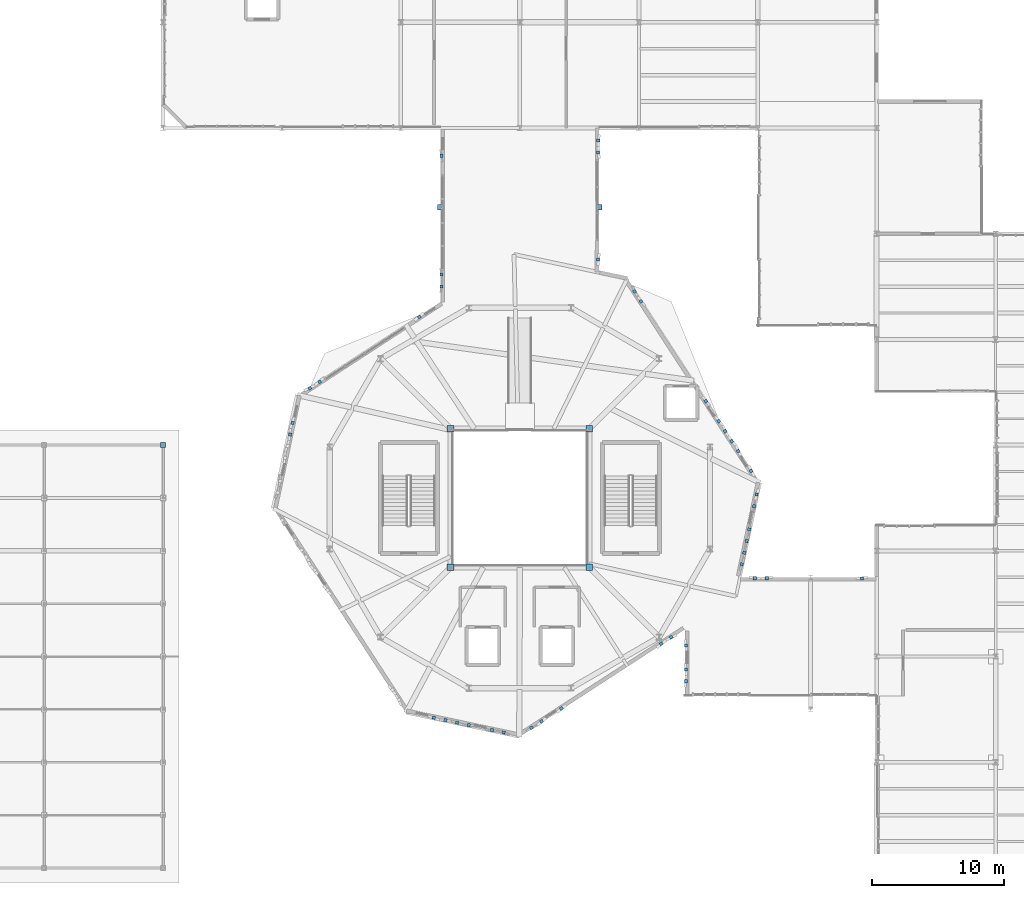
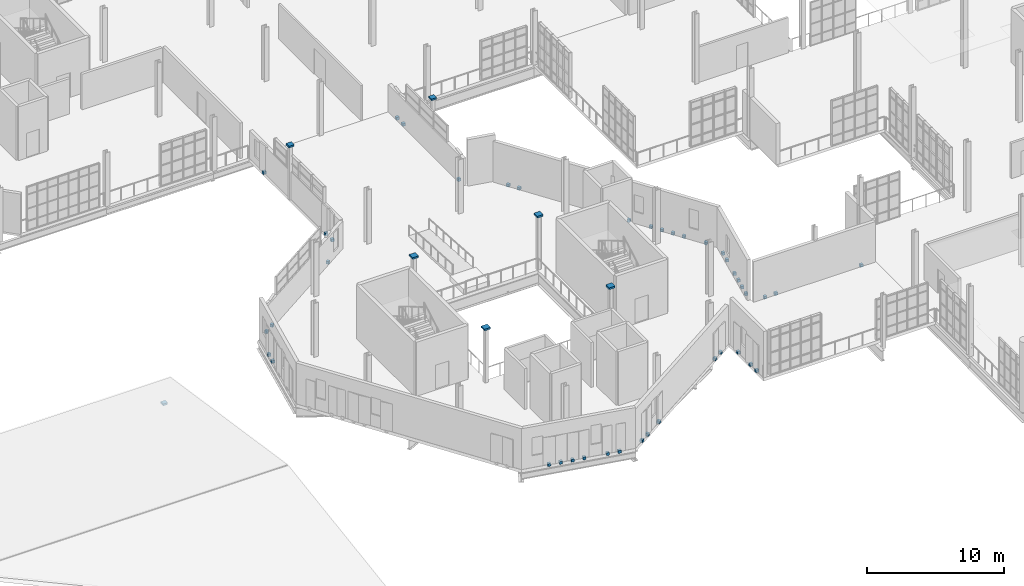
# One storey, part 110 of 118: 49 discrete accessories.
"""IFC4 building model written with IfcOpenShell, lengths in metres."""

from ifc_helpers import new_model, si_unit, direction, frame, origin, place, context, subcontext, project, spatial, polyline, outline, extrude, material, type_object, element, save


model = new_model("IFC4")

# Units and contexts
model_context = context("Model", 3, precision=1e-05, world=origin(), true_north=direction((0.0, 1.0)))
body_context = subcontext(model_context, "Body", "Model", "MODEL_VIEW")
ifc_project = project(units=[si_unit("LENGTHUNIT", "METRE"), si_unit("AREAUNIT", "SQUARE_METRE"), si_unit("VOLUMEUNIT", "CUBIC_METRE"), si_unit("PLANEANGLEUNIT", "RADIAN"), si_unit("MASSUNIT", "GRAM", prefix="KILO"), si_unit("THERMODYNAMICTEMPERATUREUNIT", "KELVIN"), si_unit("POWERUNIT", "WATT")], contexts=[model_context])

# Site, building, storey
site_placement = place(None, origin())
site = spatial("IfcSite", under=ifc_project, at=site_placement, CompositionType="ELEMENT")
building_placement = place(site_placement, origin())
building = spatial("IfcBuilding", under=site, at=building_placement, Name="Zelmaris Science Centre", CompositionType="ELEMENT")
storey_placement = place(building_placement, frame((0.0, 0.0, 15.60009765625)))
storey = spatial("IfcBuildingStorey", under=building, at=storey_placement, Name="L03", CompositionType="ELEMENT", Elevation=15.60009765625)

# Discrete accessories
ifc_material_1 = material(Name="Galvanised steel ASTM A500 Grade B", Category="steel")
discrete_accessory_type_1 = type_object("IfcDiscreteAccessoryType", Name="Facade Bracket BK-01", PredefinedType="BRACKET", material=ifc_material_1)
discrete_accessory_1_placement = place(storey_placement, frame((0.0, 0.0, -0.14013671875)))
element("IfcDiscreteAccessory", 1, at=discrete_accessory_1_placement, inside=storey, type_object=discrete_accessory_type_1, Name="L03 Facade anchorage bracket 113", PredefinedType="BRACKET", context=body_context, shape_type="SweptSolid", body=[
    extrude(outline(polyline([(93.7001953125, 22.00439453125), (93.7001953125, 22.244384765625), (93.468505859375, 22.244384765625), (93.468505859375, 22.00439453125), (93.7001953125, 22.00439453125)])), origin(), (0.0, 0.0, 1.0), 0.239990234375),
])
discrete_accessory_2_placement = place(storey_placement, frame((0.0, 0.0, -0.14013671875)))
element("IfcDiscreteAccessory", 2, at=discrete_accessory_2_placement, inside=storey, type_object=discrete_accessory_type_1, Name="L03 Facade anchorage bracket 114", PredefinedType="BRACKET", context=body_context, shape_type="SweptSolid", body=[
    extrude(outline(polyline([(93.7001953125, 22.904541015625), (93.7001953125, 23.14453125), (93.468505859375, 23.14453125), (93.468505859375, 22.904541015625), (93.7001953125, 22.904541015625)])), origin(), (0.0, 0.0, 1.0), 0.239990234375),
])
discrete_accessory_3_placement = place(storey_placement, frame((0.0, 0.0, -0.14013671875)))
element("IfcDiscreteAccessory", 3, at=discrete_accessory_3_placement, inside=storey, type_object=discrete_accessory_type_1, Name="L03 Facade anchorage bracket 115", PredefinedType="BRACKET", context=body_context, shape_type="SweptSolid", body=[
    extrude(outline(polyline([(93.699951171875, 24.70458984375), (93.699951171875, 24.944580078125), (93.468505859375, 24.944580078125), (93.468505859375, 24.70458984375), (93.699951171875, 24.70458984375)])), origin(), (0.0, 0.0, 1.0), 0.239990234375),
])
discrete_accessory_4_placement = place(storey_placement, frame((0.0, 0.0, -0.14013671875)))
element("IfcDiscreteAccessory", 4, at=discrete_accessory_4_placement, inside=storey, type_object=discrete_accessory_type_1, Name="L03 Facade anchorage bracket 116", PredefinedType="BRACKET", context=body_context, shape_type="SweptSolid", body=[
    extrude(outline(polyline([(92.48583984375, 25.619873046875), (92.284423828125, 25.489501953125), (92.410400390625, 25.294921875), (92.61181640625, 25.425537109375), (92.48583984375, 25.619873046875)])), origin(), (0.0, 0.0, 1.0), 0.239990234375),
])
discrete_accessory_5_placement = place(storey_placement, frame((0.0, 0.0, -0.14013671875)))
element("IfcDiscreteAccessory", 5, at=discrete_accessory_5_placement, inside=storey, type_object=discrete_accessory_type_1, Name="L03 Facade anchorage bracket 117", PredefinedType="BRACKET", context=body_context, shape_type="SweptSolid", body=[
    extrude(outline(polyline([(91.73046875, 25.130615234375), (91.529052734375, 25.0), (91.655029296875, 24.8056640625), (91.8564453125, 24.936279296875), (91.73046875, 25.130615234375)])), origin(), (0.0, 0.0, 1.0), 0.239990234375),
])
discrete_accessory_6_placement = place(storey_placement, frame((0.0, 0.0, -0.14013671875)))
element("IfcDiscreteAccessory", 6, at=discrete_accessory_6_placement, inside=storey, type_object=discrete_accessory_type_1, Name="L03 Facade anchorage bracket 118", PredefinedType="BRACKET", context=body_context, shape_type="SweptSolid", body=[
    extrude(outline(polyline([(84.1767578125, 20.23779296875), (83.975341796875, 20.107421875), (84.101318359375, 19.912841796875), (84.302490234375, 20.043212890625), (84.1767578125, 20.23779296875)])), origin(), (0.0, 0.0, 1.0), 0.239990234375),
])
discrete_accessory_7_placement = place(storey_placement, frame((0.0, 0.0, -0.14013671875)))
element("IfcDiscreteAccessory", 7, at=discrete_accessory_7_placement, inside=storey, type_object=discrete_accessory_type_1, Name="L03 Facade anchorage bracket 119", PredefinedType="BRACKET", context=body_context, shape_type="SweptSolid", body=[
    extrude(outline(polyline([(82.666015625, 19.25927734375), (82.464599609375, 19.128662109375), (82.59033203125, 18.934326171875), (82.791748046875, 19.064697265625), (82.666015625, 19.25927734375)])), origin(), (0.0, 0.0, 1.0), 0.239990234375),
])
discrete_accessory_8_placement = place(storey_placement, frame((0.0, 0.0, -0.14013671875)))
element("IfcDiscreteAccessory", 8, at=discrete_accessory_8_placement, inside=storey, type_object=discrete_accessory_type_1, Name="L03 Facade anchorage bracket 120", PredefinedType="BRACKET", context=body_context, shape_type="SweptSolid", body=[
    extrude(outline(polyline([(81.91064453125, 18.77001953125), (81.708984375, 18.639404296875), (81.8349609375, 18.445068359375), (82.03662109375, 18.575439453125), (81.91064453125, 18.77001953125)])), origin(), (0.0, 0.0, 1.0), 0.239990234375),
])
discrete_accessory_9_placement = place(storey_placement, frame((0.0, 0.0, -0.14013671875)))
element("IfcDiscreteAccessory", 9, at=discrete_accessory_9_placement, inside=storey, type_object=discrete_accessory_type_1, Name="L03 Facade anchorage bracket 121", PredefinedType="BRACKET", context=body_context, shape_type="SweptSolid", body=[
    extrude(outline(polyline([(79.912109375, 18.34326171875), (79.677490234375, 18.393310546875), (79.62939453125, 18.166748046875), (79.864013671875, 18.11669921875), (79.912109375, 18.34326171875)])), origin(), (0.0, 0.0, 1.0), 0.239990234375),
])
discrete_accessory_10_placement = place(storey_placement, frame((0.0, 0.0, -0.14013671875)))
element("IfcDiscreteAccessory", 10, at=discrete_accessory_10_placement, inside=storey, type_object=discrete_accessory_type_1, Name="L03 Facade anchorage bracket 122", PredefinedType="BRACKET", context=body_context, shape_type="SweptSolid", body=[
    extrude(outline(polyline([(79.031982421875, 18.530517578125), (78.797119140625, 18.580322265625), (78.7490234375, 18.353759765625), (78.98388671875, 18.303955078125), (79.031982421875, 18.530517578125)])), origin(), (0.0, 0.0, 1.0), 0.239990234375),
])
discrete_accessory_11_placement = place(storey_placement, frame((0.0, 0.0, -0.14013671875)))
element("IfcDiscreteAccessory", 11, at=discrete_accessory_11_placement, inside=storey, type_object=discrete_accessory_type_1, Name="L03 Facade anchorage bracket 123", PredefinedType="BRACKET", context=body_context, shape_type="SweptSolid", body=[
    extrude(outline(polyline([(77.271240234375, 18.90478515625), (77.03662109375, 18.95458984375), (76.98828125, 18.72802734375), (77.22314453125, 18.67822265625), (77.271240234375, 18.90478515625)])), origin(), (0.0, 0.0, 1.0), 0.239990234375),
])
discrete_accessory_12_placement = place(storey_placement, frame((0.0, 0.0, -0.14013671875)))
element("IfcDiscreteAccessory", 12, at=discrete_accessory_12_placement, inside=storey, type_object=discrete_accessory_type_1, Name="L03 Facade anchorage bracket 124", PredefinedType="BRACKET", context=body_context, shape_type="SweptSolid", body=[
    extrude(outline(polyline([(76.390869140625, 19.091796875), (76.15625, 19.1416015625), (76.10791015625, 18.915283203125), (76.3427734375, 18.865234375), (76.390869140625, 19.091796875)])), origin(), (0.0, 0.0, 1.0), 0.239990234375),
])
discrete_accessory_13_placement = place(storey_placement, frame((0.0, 0.0, -0.14013671875)))
element("IfcDiscreteAccessory", 13, at=discrete_accessory_13_placement, inside=storey, type_object=discrete_accessory_type_1, Name="L03 Facade anchorage bracket 125", PredefinedType="BRACKET", context=body_context, shape_type="SweptSolid", body=[
    extrude(outline(polyline([(75.510498046875, 19.279052734375), (75.27587890625, 19.328857421875), (75.227783203125, 19.102294921875), (75.46240234375, 19.052490234375), (75.510498046875, 19.279052734375)])), origin(), (0.0, 0.0, 1.0), 0.239990234375),
])
discrete_accessory_14_placement = place(storey_placement, frame((0.0, 0.0, -0.14013671875)))
element("IfcDiscreteAccessory", 14, at=discrete_accessory_14_placement, inside=storey, type_object=discrete_accessory_type_1, Name="L03 Facade anchorage bracket 126", PredefinedType="BRACKET", context=body_context, shape_type="SweptSolid", body=[
    extrude(outline(polyline([(74.630126953125, 19.466064453125), (74.3955078125, 19.51611328125), (74.347412109375, 19.289306640625), (74.58203125, 19.239501953125), (74.630126953125, 19.466064453125)])), origin(), (0.0, 0.0, 1.0), 0.239990234375),
])
discrete_accessory_15_placement = place(storey_placement, frame((0.0, 0.0, -0.14013671875)))
element("IfcDiscreteAccessory", 15, at=discrete_accessory_15_placement, inside=storey, type_object=discrete_accessory_type_1, Name="L03 Facade anchorage bracket 139", PredefinedType="BRACKET", context=body_context, shape_type="SweptSolid", body=[
    extrude(outline(polyline([(63.6982421875, 40.662109375), (63.748046875, 40.89697265625), (63.521484375, 40.945068359375), (63.4716796875, 40.71044921875), (63.6982421875, 40.662109375)])), origin(), (0.0, 0.0, 1.0), 0.239990234375),
])
discrete_accessory_16_placement = place(storey_placement, frame((0.0, 0.0, -0.14013671875)))
element("IfcDiscreteAccessory", 16, at=discrete_accessory_16_placement, inside=storey, type_object=discrete_accessory_type_1, Name="L03 Facade anchorage bracket 140", PredefinedType="BRACKET", context=body_context, shape_type="SweptSolid", body=[
    extrude(outline(polyline([(63.88525390625, 41.54248046875), (63.935302734375, 41.77734375), (63.70849609375, 41.825439453125), (63.65869140625, 41.5908203125), (63.88525390625, 41.54248046875)])), origin(), (0.0, 0.0, 1.0), 0.239990234375),
])
discrete_accessory_17_placement = place(storey_placement, frame((0.0, 0.0, -0.14013671875)))
element("IfcDiscreteAccessory", 17, at=discrete_accessory_17_placement, inside=storey, type_object=discrete_accessory_type_1, Name="L03 Facade anchorage bracket 141", PredefinedType="BRACKET", context=body_context, shape_type="SweptSolid", body=[
    extrude(outline(polyline([(65.058837890625, 44.13623046875), (65.260009765625, 44.26708984375), (65.1337890625, 44.461181640625), (64.9326171875, 44.330322265625), (65.058837890625, 44.13623046875)])), origin(), (0.0, 0.0, 1.0), 0.239990234375),
])
discrete_accessory_18_placement = place(storey_placement, frame((0.0, 0.0, -0.14013671875)))
element("IfcDiscreteAccessory", 18, at=discrete_accessory_18_placement, inside=storey, type_object=discrete_accessory_type_1, Name="L03 Facade anchorage bracket 142", PredefinedType="BRACKET", context=body_context, shape_type="SweptSolid", body=[
    extrude(outline(polyline([(65.813232421875, 44.626953125), (66.014404296875, 44.7578125), (65.88818359375, 44.951904296875), (65.68701171875, 44.821044921875), (65.813232421875, 44.626953125)])), origin(), (0.0, 0.0, 1.0), 0.239990234375),
])
discrete_accessory_19_placement = place(storey_placement, frame((0.0, 0.0, -0.14013671875)))
element("IfcDiscreteAccessory", 19, at=discrete_accessory_19_placement, inside=storey, type_object=discrete_accessory_type_1, Name="L03 Facade anchorage bracket 143", PredefinedType="BRACKET", context=body_context, shape_type="SweptSolid", body=[
    extrude(outline(polyline([(73.357421875, 49.534912109375), (73.55859375, 49.665771484375), (73.43212890625, 49.85986328125), (73.23095703125, 49.72900390625), (73.357421875, 49.534912109375)])), origin(), (0.0, 0.0, 1.0), 0.239990234375),
])
discrete_accessory_20_placement = place(storey_placement, frame((0.0, 0.0, -0.14013671875)))
element("IfcDiscreteAccessory", 20, at=discrete_accessory_20_placement, inside=storey, type_object=discrete_accessory_type_1, Name="L03 Facade anchorage bracket 144", PredefinedType="BRACKET", context=body_context, shape_type="SweptSolid", body=[
    extrude(outline(polyline([(75.1953125, 51.881103515625), (75.1953125, 52.12109375), (74.963623046875, 52.12109375), (74.963623046875, 51.881103515625), (75.1953125, 51.881103515625)])), origin(), (0.0, 0.0, 1.0), 0.239990234375),
])
discrete_accessory_21_placement = place(storey_placement, frame((0.0, 0.0, -0.14013671875)))
element("IfcDiscreteAccessory", 21, at=discrete_accessory_21_placement, inside=storey, type_object=discrete_accessory_type_1, Name="L03 Facade anchorage bracket 145", PredefinedType="BRACKET", context=body_context, shape_type="SweptSolid", body=[
    extrude(outline(polyline([(75.1953125, 52.781005859375), (75.1953125, 53.02099609375), (74.963623046875, 53.02099609375), (74.963623046875, 52.781005859375), (75.1953125, 52.781005859375)])), origin(), (0.0, 0.0, 1.0), 0.239990234375),
])
discrete_accessory_22_placement = place(storey_placement, frame((0.0, 0.0, -0.14013671875)))
element("IfcDiscreteAccessory", 22, at=discrete_accessory_22_placement, inside=storey, type_object=discrete_accessory_type_1, Name="L03 Facade anchorage bracket 146", PredefinedType="BRACKET", context=body_context, shape_type="SweptSolid", body=[
    extrude(outline(polyline([(75.1953125, 61.781005859375), (75.1953125, 62.02099609375), (74.9638671875, 62.02099609375), (74.9638671875, 61.781005859375), (75.1953125, 61.781005859375)])), origin(), (0.0, 0.0, 1.0), 0.239990234375),
])
discrete_accessory_23_placement = place(storey_placement, frame((0.0, 0.0, -0.14013671875)))
element("IfcDiscreteAccessory", 23, at=discrete_accessory_23_placement, inside=storey, type_object=discrete_accessory_type_1, Name="L03 Facade anchorage bracket 147", PredefinedType="BRACKET", context=body_context, shape_type="SweptSolid", body=[
    extrude(outline(polyline([(89.510498046875, 51.661865234375), (89.64111328125, 51.460693359375), (89.835205078125, 51.586669921875), (89.70458984375, 51.7880859375), (89.510498046875, 51.661865234375)])), origin(), (0.0, 0.0, 1.0), 0.239990234375),
])
discrete_accessory_24_placement = place(storey_placement, frame((0.0, 0.0, -0.14013671875)))
element("IfcDiscreteAccessory", 24, at=discrete_accessory_24_placement, inside=storey, type_object=discrete_accessory_type_1, Name="L03 Facade anchorage bracket 148", PredefinedType="BRACKET", context=body_context, shape_type="SweptSolid", body=[
    extrude(outline(polyline([(90.00048828125, 50.906982421875), (90.13134765625, 50.705810546875), (90.325439453125, 50.831787109375), (90.19482421875, 51.033203125), (90.00048828125, 50.906982421875)])), origin(), (0.0, 0.0, 1.0), 0.239990234375),
])
discrete_accessory_25_placement = place(storey_placement, frame((0.0, 0.0, -0.14013671875)))
element("IfcDiscreteAccessory", 25, at=discrete_accessory_25_placement, inside=storey, type_object=discrete_accessory_type_1, Name="L03 Facade anchorage bracket 149", PredefinedType="BRACKET", context=body_context, shape_type="SweptSolid", body=[
    extrude(outline(polyline([(94.90234375, 43.35888671875), (95.032958984375, 43.15771484375), (95.227294921875, 43.283935546875), (95.096435546875, 43.485107421875), (94.90234375, 43.35888671875)])), origin(), (0.0, 0.0, 1.0), 0.239990234375),
])
discrete_accessory_26_placement = place(storey_placement, frame((0.0, 0.0, -0.14013671875)))
element("IfcDiscreteAccessory", 26, at=discrete_accessory_26_placement, inside=storey, type_object=discrete_accessory_type_1, Name="L03 Facade anchorage bracket 150", PredefinedType="BRACKET", context=body_context, shape_type="SweptSolid", body=[
    extrude(outline(polyline([(95.882568359375, 41.849365234375), (96.01318359375, 41.648193359375), (96.20751953125, 41.7744140625), (96.076904296875, 41.9755859375), (95.882568359375, 41.849365234375)])), origin(), (0.0, 0.0, 1.0), 0.239990234375),
])
discrete_accessory_27_placement = place(storey_placement, frame((0.0, 0.0, -0.14013671875)))
element("IfcDiscreteAccessory", 27, at=discrete_accessory_27_placement, inside=storey, type_object=discrete_accessory_type_1, Name="L03 Facade anchorage bracket 151", PredefinedType="BRACKET", context=body_context, shape_type="SweptSolid", body=[
    extrude(outline(polyline([(96.372802734375, 41.094482421875), (96.50341796875, 40.893310546875), (96.69775390625, 41.01953125), (96.56689453125, 41.220703125), (96.372802734375, 41.094482421875)])), origin(), (0.0, 0.0, 1.0), 0.239990234375),
])
discrete_accessory_28_placement = place(storey_placement, frame((0.0, 0.0, -0.14013671875)))
element("IfcDiscreteAccessory", 28, at=discrete_accessory_28_placement, inside=storey, type_object=discrete_accessory_type_1, Name="L03 Facade anchorage bracket 152", PredefinedType="BRACKET", context=body_context, shape_type="SweptSolid", body=[
    extrude(outline(polyline([(96.863037109375, 40.33984375), (96.99365234375, 40.138427734375), (97.18798828125, 40.2646484375), (97.05712890625, 40.4658203125), (96.863037109375, 40.33984375)])), origin(), (0.0, 0.0, 1.0), 0.239990234375),
])
discrete_accessory_29_placement = place(storey_placement, frame((0.0, 0.0, -0.14013671875)))
element("IfcDiscreteAccessory", 29, at=discrete_accessory_29_placement, inside=storey, type_object=discrete_accessory_type_1, Name="L03 Facade anchorage bracket 153", PredefinedType="BRACKET", context=body_context, shape_type="SweptSolid", body=[
    extrude(outline(polyline([(97.35302734375, 39.5849609375), (97.48388671875, 39.3837890625), (97.677978515625, 39.509765625), (97.54736328125, 39.711181640625), (97.35302734375, 39.5849609375)])), origin(), (0.0, 0.0, 1.0), 0.239990234375),
])
discrete_accessory_30_placement = place(storey_placement, frame((0.0, 0.0, -0.14013671875)))
element("IfcDiscreteAccessory", 30, at=discrete_accessory_30_placement, inside=storey, type_object=discrete_accessory_type_1, Name="L03 Facade anchorage bracket 154", PredefinedType="BRACKET", context=body_context, shape_type="SweptSolid", body=[
    extrude(outline(polyline([(98.33349609375, 38.075439453125), (98.464111328125, 37.8740234375), (98.658447265625, 38.000244140625), (98.527587890625, 38.201416015625), (98.33349609375, 38.075439453125)])), origin(), (0.0, 0.0, 1.0), 0.239990234375),
])
discrete_accessory_31_placement = place(storey_placement, frame((0.0, 0.0, -0.14013671875)))
element("IfcDiscreteAccessory", 31, at=discrete_accessory_31_placement, inside=storey, type_object=discrete_accessory_type_1, Name="L03 Facade anchorage bracket 155", PredefinedType="BRACKET", context=body_context, shape_type="SweptSolid", body=[
    extrude(outline(polyline([(98.81884765625, 36.40625), (98.768798828125, 36.17138671875), (98.995361328125, 36.123291015625), (99.04541015625, 36.358154296875), (98.81884765625, 36.40625)])), origin(), (0.0, 0.0, 1.0), 0.239990234375),
])
discrete_accessory_32_placement = place(storey_placement, frame((0.0, 0.0, -0.14013671875)))
element("IfcDiscreteAccessory", 32, at=discrete_accessory_32_placement, inside=storey, type_object=discrete_accessory_type_1, Name="L03 Facade anchorage bracket 156", PredefinedType="BRACKET", context=body_context, shape_type="SweptSolid", body=[
    extrude(outline(polyline([(98.631591796875, 35.52587890625), (98.581787109375, 35.291259765625), (98.808349609375, 35.242919921875), (98.858154296875, 35.477783203125), (98.631591796875, 35.52587890625)])), origin(), (0.0, 0.0, 1.0), 0.239990234375),
])
discrete_accessory_33_placement = place(storey_placement, frame((0.0, 0.0, -0.14013671875)))
element("IfcDiscreteAccessory", 33, at=discrete_accessory_33_placement, inside=storey, type_object=discrete_accessory_type_1, Name="L03 Facade anchorage bracket 157", PredefinedType="BRACKET", context=body_context, shape_type="SweptSolid", body=[
    extrude(outline(polyline([(98.257568359375, 33.76513671875), (98.20751953125, 33.530517578125), (98.43408203125, 33.482421875), (98.48388671875, 33.717041015625), (98.257568359375, 33.76513671875)])), origin(), (0.0, 0.0, 1.0), 0.239990234375),
])
discrete_accessory_34_placement = place(storey_placement, frame((0.0, 0.0, -0.14013671875)))
element("IfcDiscreteAccessory", 34, at=discrete_accessory_34_placement, inside=storey, type_object=discrete_accessory_type_1, Name="L03 Facade anchorage bracket 158", PredefinedType="BRACKET", context=body_context, shape_type="SweptSolid", body=[
    extrude(outline(polyline([(98.0703125, 32.885009765625), (98.0205078125, 32.650146484375), (98.2470703125, 32.60205078125), (98.296875, 32.8369140625), (98.0703125, 32.885009765625)])), origin(), (0.0, 0.0, 1.0), 0.239990234375),
])
discrete_accessory_35_placement = place(storey_placement, frame((0.0, 0.0, -0.14013671875)))
element("IfcDiscreteAccessory", 35, at=discrete_accessory_35_placement, inside=storey, type_object=discrete_accessory_type_1, Name="L03 Facade anchorage bracket 159", PredefinedType="BRACKET", context=body_context, shape_type="SweptSolid", body=[
    extrude(outline(polyline([(97.88330078125, 32.004638671875), (97.83349609375, 31.769775390625), (98.059814453125, 31.7216796875), (98.10986328125, 31.956298828125), (97.88330078125, 32.004638671875)])), origin(), (0.0, 0.0, 1.0), 0.239990234375),
])
discrete_accessory_36_placement = place(storey_placement, frame((0.0, 0.0, -0.14013671875)))
element("IfcDiscreteAccessory", 36, at=discrete_accessory_36_placement, inside=storey, type_object=discrete_accessory_type_1, Name="L03 Facade anchorage bracket 160", PredefinedType="BRACKET", context=body_context, shape_type="SweptSolid", body=[
    extrude(outline(polyline([(97.6962890625, 31.124267578125), (97.646240234375, 30.889404296875), (97.872802734375, 30.84130859375), (97.922607421875, 31.076171875), (97.6962890625, 31.124267578125)])), origin(), (0.0, 0.0, 1.0), 0.239990234375),
])
discrete_accessory_37_placement = place(storey_placement, frame((0.0, 0.0, -0.14013671875)))
element("IfcDiscreteAccessory", 37, at=discrete_accessory_37_placement, inside=storey, type_object=discrete_accessory_type_1, Name="L03 Facade anchorage bracket 161", PredefinedType="BRACKET", context=body_context, shape_type="SweptSolid", body=[
    extrude(outline(polyline([(98.65673828125, 29.8095703125), (98.896728515625, 29.80908203125), (98.89697265625, 30.040771484375), (98.656982421875, 30.041015625), (98.65673828125, 29.8095703125)])), origin(), (0.0, 0.0, 1.0), 0.239990234375),
])
discrete_accessory_38_placement = place(storey_placement, frame((0.0, 0.0, -0.14013671875)))
element("IfcDiscreteAccessory", 38, at=discrete_accessory_38_placement, inside=storey, type_object=discrete_accessory_type_1, Name="L03 Facade anchorage bracket 162", PredefinedType="BRACKET", context=body_context, shape_type="SweptSolid", body=[
    extrude(outline(polyline([(99.556884765625, 29.80859375), (99.796875, 29.808349609375), (99.797119140625, 30.0400390625), (99.556884765625, 30.040283203125), (99.556884765625, 29.80859375)])), origin(), (0.0, 0.0, 1.0), 0.239990234375),
])
discrete_accessory_39_placement = place(storey_placement, frame((0.0, 0.0, -0.14013671875)))
element("IfcDiscreteAccessory", 39, at=discrete_accessory_39_placement, inside=storey, type_object=discrete_accessory_type_1, Name="L03 Facade anchorage bracket 163", PredefinedType="BRACKET", context=body_context, shape_type="SweptSolid", body=[
    extrude(outline(polyline([(106.7568359375, 29.80224609375), (106.996826171875, 29.802001953125), (106.9970703125, 30.03369140625), (106.757080078125, 30.033935546875), (106.7568359375, 29.80224609375)])), origin(), (0.0, 0.0, 1.0), 0.239990234375),
])
discrete_accessory_40_placement = place(storey_placement, frame((0.0, 0.0, -0.14013671875)))
element("IfcDiscreteAccessory", 40, at=discrete_accessory_40_placement, inside=storey, type_object=discrete_accessory_type_1, Name="L03 Facade anchorage bracket 164", PredefinedType="BRACKET", context=body_context, shape_type="SweptSolid", body=[
    extrude(outline(polyline([(86.812744140625, 63.160888671875), (86.8125, 62.9208984375), (87.0439453125, 62.920654296875), (87.044189453125, 63.16064453125), (86.812744140625, 63.160888671875)])), origin(), (0.0, 0.0, 1.0), 0.239990234375),
])
discrete_accessory_41_placement = place(storey_placement, frame((0.0, 0.0, -0.14013671875)))
element("IfcDiscreteAccessory", 41, at=discrete_accessory_41_placement, inside=storey, type_object=discrete_accessory_type_1, Name="L03 Facade anchorage bracket 165", PredefinedType="BRACKET", context=body_context, shape_type="SweptSolid", body=[
    extrude(outline(polyline([(86.8115234375, 62.260986328125), (86.811279296875, 62.02099609375), (87.04296875, 62.020751953125), (87.043212890625, 62.2607421875), (86.8115234375, 62.260986328125)])), origin(), (0.0, 0.0, 1.0), 0.239990234375),
])
discrete_accessory_42_placement = place(storey_placement, frame((0.0, 0.0, -0.14013671875)))
element("IfcDiscreteAccessory", 42, at=discrete_accessory_42_placement, inside=storey, type_object=discrete_accessory_type_1, Name="L03 Facade anchorage bracket 166", PredefinedType="BRACKET", context=body_context, shape_type="SweptSolid", body=[
    extrude(outline(polyline([(86.80224609375, 54.160888671875), (86.802001953125, 53.9208984375), (87.03369140625, 53.920654296875), (87.033935546875, 54.16064453125), (86.80224609375, 54.160888671875)])), origin(), (0.0, 0.0, 1.0), 0.239990234375),
])
ifc_material_2 = material(Name="Steel ASTM A500 Grade C", Category="steel")
discrete_accessory_type_2 = type_object("IfcDiscreteAccessoryType", Name="Hollow Section End Cap Plate BK-ECP", PredefinedType="BRACKET", material=ifc_material_2)
discrete_accessory_43_placement = place(storey_placement, frame((0.0, 0.0, 4.726806640625)))
element("IfcDiscreteAccessory", 43, at=discrete_accessory_43_placement, inside=storey, type_object=discrete_accessory_type_2, Name="End cap plate 6", PredefinedType="BRACKET", context=body_context, shape_type="SweptSolid", body=[
    extrude(outline(polyline([(75.502197265625, 30.502197265625), (75.997802734375, 30.502197265625), (75.997802734375, 30.997802734375), (75.502197265625, 30.997802734375), (75.502197265625, 30.502197265625)])), origin(), (0.0, 0.0, 1.0), 0.158203125),
])
discrete_accessory_44_placement = place(storey_placement, frame((0.0, 0.0, 4.726806640625)))
element("IfcDiscreteAccessory", 44, at=discrete_accessory_44_placement, inside=storey, type_object=discrete_accessory_type_2, Name="End cap plate 14", PredefinedType="BRACKET", context=body_context, shape_type="SweptSolid", body=[
    extrude(outline(polyline([(86.002197265625, 30.502197265625), (86.497802734375, 30.502197265625), (86.497802734375, 30.997802734375), (86.002197265625, 30.997802734375), (86.002197265625, 30.502197265625)])), origin(), (0.0, 0.0, 1.0), 0.158203125),
])
discrete_accessory_45_placement = place(storey_placement, frame((0.0, 0.0, 4.726806640625)))
element("IfcDiscreteAccessory", 45, at=discrete_accessory_45_placement, inside=storey, type_object=discrete_accessory_type_2, Name="End cap plate 22", PredefinedType="BRACKET", context=body_context, shape_type="SweptSolid", body=[
    extrude(outline(polyline([(86.002197265625, 41.002197265625), (86.497802734375, 41.002197265625), (86.497802734375, 41.497802734375), (86.002197265625, 41.497802734375), (86.002197265625, 41.002197265625)])), origin(), (0.0, 0.0, 1.0), 0.158203125),
])
discrete_accessory_46_placement = place(storey_placement, frame((0.0, 0.0, 4.726806640625)))
element("IfcDiscreteAccessory", 46, at=discrete_accessory_46_placement, inside=storey, type_object=discrete_accessory_type_2, Name="End cap plate 30", PredefinedType="BRACKET", context=body_context, shape_type="SweptSolid", body=[
    extrude(outline(polyline([(75.502197265625, 41.002197265625), (75.997802734375, 41.002197265625), (75.997802734375, 41.497802734375), (75.502197265625, 41.497802734375), (75.502197265625, 41.002197265625)])), origin(), (0.0, 0.0, 1.0), 0.158203125),
])
discrete_accessory_47_placement = place(storey_placement, frame((0.0, 0.0, 4.726806640625)))
element("IfcDiscreteAccessory", 47, at=discrete_accessory_47_placement, inside=storey, type_object=discrete_accessory_type_2, Name="End cap plate 46", PredefinedType="BRACKET", context=body_context, shape_type="SweptSolid", body=[
    extrude(outline(polyline([(74.78076171875, 57.78076171875), (75.21923828125, 57.78076171875), (75.21923828125, 58.21923828125), (74.78076171875, 58.21923828125), (74.78076171875, 57.78076171875)])), origin(), (0.0, 0.0, 1.0), 0.158203125),
])
discrete_accessory_48_placement = place(storey_placement, frame((0.0, 0.0, 4.726806640625)))
element("IfcDiscreteAccessory", 48, at=discrete_accessory_48_placement, inside=storey, type_object=discrete_accessory_type_2, Name="End cap plate 54", PredefinedType="BRACKET", context=body_context, shape_type="SweptSolid", body=[
    extrude(outline(polyline([(86.78076171875, 57.78076171875), (87.21923828125, 57.78076171875), (87.21923828125, 58.21923828125), (86.78076171875, 58.21923828125), (86.78076171875, 57.78076171875)])), origin(), (0.0, 0.0, 1.0), 0.158203125),
])
discrete_accessory_49_placement = place(storey_placement, frame((0.0, 0.0, 0.014892578125)))
element("IfcDiscreteAccessory", 49, at=discrete_accessory_49_placement, inside=storey, type_object=discrete_accessory_type_2, Name="End cap plate 176", PredefinedType="BRACKET", context=body_context, shape_type="SweptSolid", body=[
    extrude(outline(polyline([(53.80908203125, 39.80908203125), (54.19091796875, 39.80908203125), (54.19091796875, 40.19091796875), (53.80908203125, 40.19091796875), (53.80908203125, 39.80908203125)])), origin(), (0.0, 0.0, 1.0), 0.157958984375),
])

save(model, "model.ifc")
